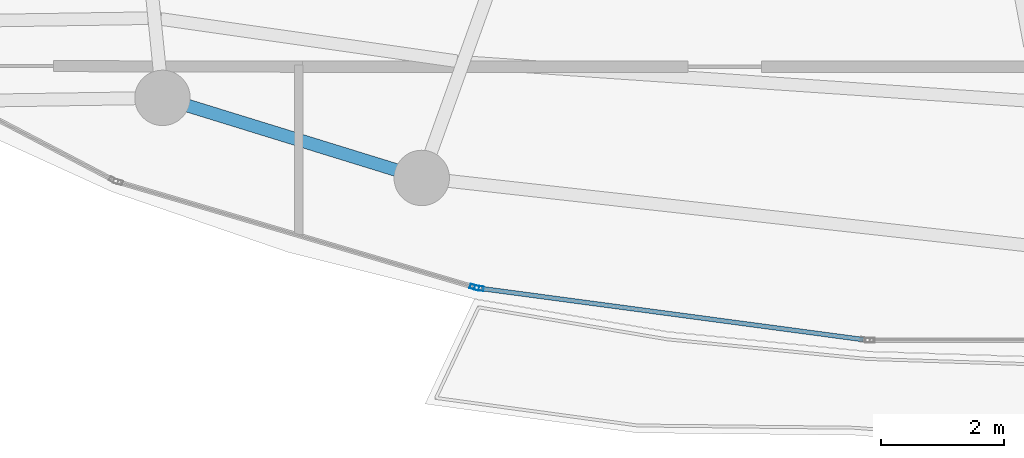
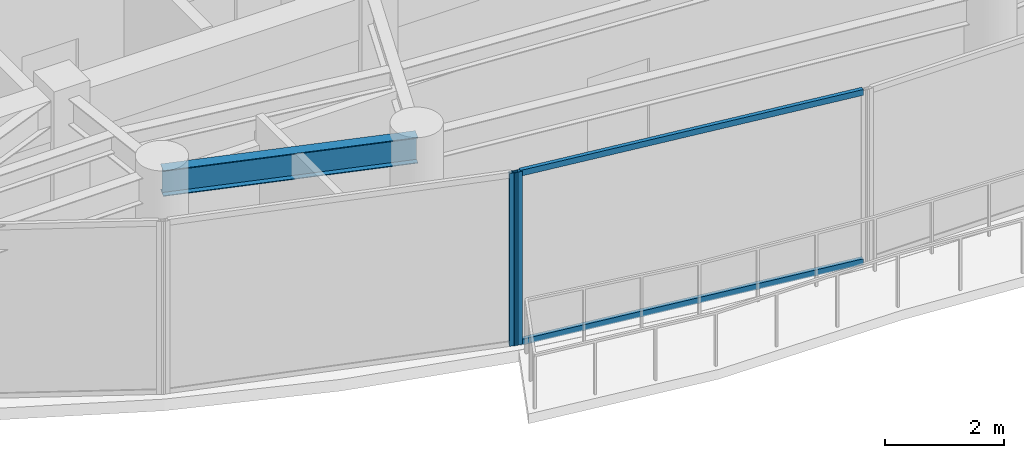
# One storey, part 5 of 30: 4 members, 1 beam, 2 elements without a shape of their own.
"""IFC4 building model written with IfcOpenShell, lengths in metres."""

from ifc_helpers import new_model, si_unit, direction, frame, origin, origin_2d, place, context, subcontext, project, spatial, hollow_rectangle, i_section, extrude, material, layer, layer_set, material_profile, profile_set, type_object, element, aggregate, save


model = new_model("IFC4")

# Units and contexts
model_context = context("Model", 3, precision=1e-05, world=origin(), true_north=direction((0.0, 1.0)))
body_context = subcontext(model_context, "Body", "Model", "MODEL_VIEW")
ifc_project = project(units=[si_unit("LENGTHUNIT", "METRE"), si_unit("AREAUNIT", "SQUARE_METRE"), si_unit("VOLUMEUNIT", "CUBIC_METRE"), si_unit("PLANEANGLEUNIT", "RADIAN"), si_unit("MASSUNIT", "GRAM", prefix="KILO")], contexts=[model_context])

# Site, building, storey
site_placement = place(None, origin())
site = spatial("IfcSite", under=ifc_project, at=site_placement, CompositionType="ELEMENT")
building_placement = place(site_placement, origin())
building = spatial("IfcBuilding", under=site, at=building_placement, Name="Kazevale Care Tower and Concert Hall", CompositionType="ELEMENT")
storey_placement = place(building_placement, frame((0.0, 0.0, 258.60009765625)))
storey = spatial("IfcBuildingStorey", under=building, at=storey_placement, Name="L68", CompositionType="ELEMENT", Elevation=258.60009765625)

# Curtain wall, member
ifc_material_1 = material(Name="Aluminium 6063-T6 and Low-E Glass", Category="aluminium")
ifc_layer = layer(ifc_material_1, 0.179931640625)
ifc_layer_set = layer_set([ifc_layer], Name="Aluminium 6063-T6 and Low-E Glass")
curtain_wall_type = type_object("IfcCurtainWallType", Name="Sheltered Concave Balcony Curtain Wall CW-5", PredefinedType="NOTDEFINED", material=ifc_layer_set)
curtain_wall_1_placement = place(storey_placement, origin())
curtain_wall_1 = element("IfcCurtainWall", 1, at=curtain_wall_1_placement, inside=storey, type_object=curtain_wall_type, Name="cw:L68:f07", PredefinedType="NOTDEFINED")
ifc_material_2 = material(Name="Aluminium 6063-T6", Category="aluminium")
ifc_material_profile_1 = material_profile(ifc_material_2, hollow_rectangle(XDim=0.074951171875, YDim=0.14990234375, WallThickness=0.00390625, at=origin_2d()), Name="ALU75x150x4")
ifc_profile_set_1 = profile_set([ifc_material_profile_1], Name="Aluminium 6063-T6")
member_type_1 = type_object("IfcMemberType", Name="CW-5 Mullion ALU75x150x4", PredefinedType="MULLION", material=ifc_profile_set_1)
member_1_placement = place(storey_placement, frame((35.43017578125, 17.629150390625, 0.0), z_axis=(0.0, 0.0, 1.0), x_axis=(-0.132542069018, -0.991177380664, 0.0)))
member_1 = element("IfcMember", 2, at=member_1_placement, type_object=member_type_1, Name="CW-5 mullion 2", PredefinedType="MULLION", context=body_context, shape_type="SweptSolid", body=[
    extrude(hollow_rectangle(XDim=0.074951171875, YDim=0.14990234375, WallThickness=0.00390625, at=origin_2d()), origin(), (0.0, 0.0, 1.0), 3.559814453125),
])

curtain_wall_2_placement = place(storey_placement, origin())
curtain_wall_2 = element("IfcCurtainWall", 3, at=curtain_wall_2_placement, inside=storey, type_object=curtain_wall_type, Name="cw:L68:f08", PredefinedType="NOTDEFINED")
member_2_placement = place(storey_placement, frame((35.35693359375, 17.64453125, 0.0), z_axis=(0.0, 0.0, 1.0), x_axis=(-0.283202506274, -0.959060133902, 0.0)))
member_2 = element("IfcMember", 4, at=member_2_placement, type_object=member_type_1, Name="CW-5 mullion 1", PredefinedType="MULLION", context=body_context, shape_type="SweptSolid", body=[
    extrude(hollow_rectangle(XDim=0.074951171875, YDim=0.14990234375, WallThickness=0.00390625, at=origin_2d()), origin(), (0.0, 0.0, 1.0), 3.559814453125),
])
aggregate(curtain_wall_2, [member_2])

# Member
ifc_material_profile_2 = material_profile(ifc_material_2, hollow_rectangle(XDim=0.074951171875, YDim=0.1201171875, WallThickness=0.00390625, at=origin_2d()), Name="ALU75x120x4")
ifc_profile_set_2 = profile_set([ifc_material_profile_2], Name="Aluminium 6063-T6")
member_type_2 = type_object("IfcMemberType", Name="CW-5 Transom ALU75x120x4", PredefinedType="USERDEFINED", material=ifc_profile_set_2)
member_3_placement = place(storey_placement, frame((41.667724609375, 16.794921875, 0.037353515625), z_axis=(-0.991178066261, 0.132536941884, 0.0), x_axis=(-0.132536941884, -0.991178066261, 0.0)))
member_3 = element("IfcMember", 5, at=member_3_placement, type_object=member_type_2, Name="CW-5 transom 1.1", ObjectType="TRANSOM", PredefinedType="USERDEFINED", context=body_context, shape_type="SweptSolid", body=[
    extrude(hollow_rectangle(XDim=0.074951171875, YDim=0.1201171875, WallThickness=0.00390625, at=origin_2d()), origin(), (0.0, 0.0, 1.0), 6.255615234375),
])

member_4_placement = place(storey_placement, frame((41.667724609375, 16.794921875, 3.5224609375), z_axis=(-0.991178066261, 0.132536941884, 0.0), x_axis=(-0.132536941884, -0.991178066261, 0.0)))
member_4 = element("IfcMember", 6, at=member_4_placement, type_object=member_type_2, Name="CW-5 transom 1.2", ObjectType="TRANSOM", PredefinedType="USERDEFINED", context=body_context, shape_type="SweptSolid", body=[
    extrude(hollow_rectangle(XDim=0.074951171875, YDim=0.1201171875, WallThickness=0.00390625, at=origin_2d()), origin(), (0.0, 0.0, 1.0), 6.255615234375),
])

aggregate(curtain_wall_1, [member_1, member_3, member_4])

# Beam
ifc_material_3 = material(Name="Steel ASTM A572 Gr 50", Category="steel")
ifc_material_profile_3 = material_profile(ifc_material_3, i_section(OverallWidth=0.208984375, OverallDepth=0.532958984375, WebThickness=0.01025390625, FlangeThickness=0.015625, at=origin_2d()), Name="W530x92")
ifc_profile_set_3 = profile_set([ifc_material_profile_3], Name="Steel ASTM A572 Gr 50")
beam_type = type_object("IfcBeamType", Name="Upper Ring Beam W530x92", PredefinedType="BEAM", material=ifc_profile_set_3)
beam_placement = place(storey_placement, frame((30.2900390625, 20.719970703125, 3.29345703125), z_axis=(0.955480204609, -0.295055212801, 0.0), x_axis=(0.295055212801, 0.955480204609, 0.0)))
element("IfcBeam", 7, at=beam_placement, inside=storey, type_object=beam_type, Name="beam:L68:ring:11", PredefinedType="BEAM", context=body_context, shape_type="SweptSolid", body=[
    extrude(i_section(OverallWidth=0.208984375, OverallDepth=0.532958984375, WebThickness=0.01025390625, FlangeThickness=0.015625, at=origin_2d()), origin(), (0.0, 0.0, 1.0), 4.406005859375),
])

save(model, "model.ifc")
